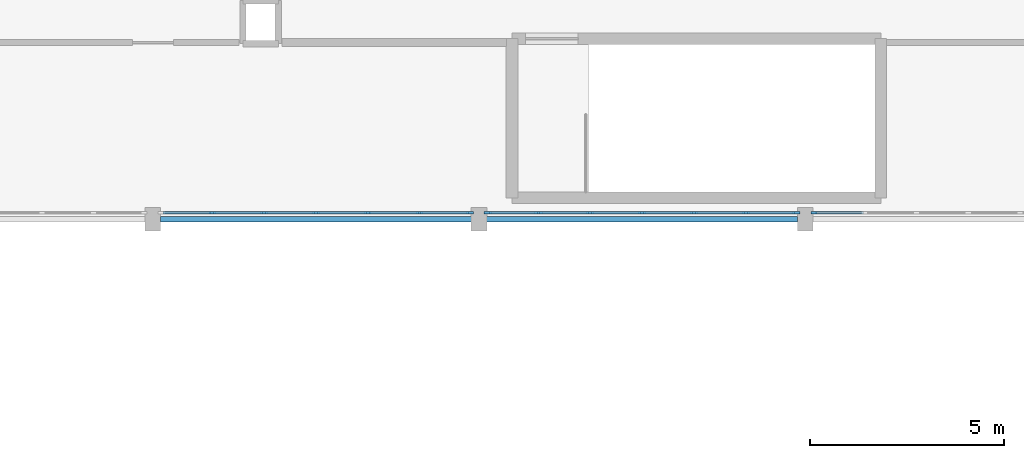
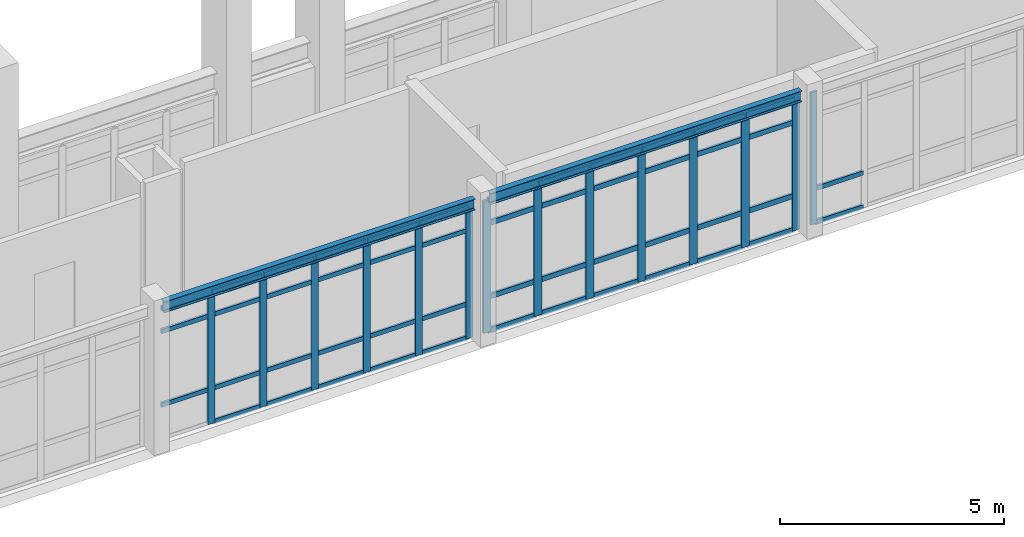
# One storey, part 80 of 147: 63 members, 2 beams, 3 elements without a shape of their own.
"""IFC4 building model written with IfcOpenShell, lengths in metres."""

from ifc_helpers import new_model, si_unit, direction, frame, origin, origin_2d, place, context, subcontext, project, spatial, rectangle, i_section, extrude, material, material_profile, profile_set, type_object, element, aggregate, save


model = new_model("IFC4")

# Units and contexts
model_context = context("Model", 3, precision=1e-05, world=origin(), true_north=direction((0.0, 1.0)))
body_context = subcontext(model_context, "Body", "Model", "MODEL_VIEW")
ifc_project = project(units=[si_unit("LENGTHUNIT", "METRE"), si_unit("AREAUNIT", "SQUARE_METRE"), si_unit("VOLUMEUNIT", "CUBIC_METRE"), si_unit("PLANEANGLEUNIT", "RADIAN"), si_unit("MASSUNIT", "GRAM", prefix="KILO")], contexts=[model_context])

# Site, building, storey
site_placement = place(None, origin())
site = spatial("IfcSite", under=ifc_project, at=site_placement, CompositionType="ELEMENT")
building_placement = place(site_placement, origin())
building = spatial("IfcBuilding", under=site, at=building_placement, Name="Malvenik Polytechnic", CompositionType="ELEMENT")
storey_placement = place(building_placement, frame((0.0, 0.0, 5.10009765625)))
storey = spatial("IfcBuildingStorey", under=building, at=storey_placement, Name="L01", CompositionType="ELEMENT", Elevation=5.10009765625)

# Curtain wall, member
ifc_material_1 = material(Name="Anodised aluminium 6060-T6", Category="aluminium")
curtain_wall_type = type_object("IfcCurtainWallType", Name="ARC-CW-CW-02", PredefinedType="NOTDEFINED", material=ifc_material_1)
curtain_wall_1_placement = place(storey_placement, origin())
curtain_wall_1 = element("IfcCurtainWall", 1, at=curtain_wall_1_placement, inside=storey, type_object=curtain_wall_type, Name="Unitised Curtain Wall CW-02 L01 #107", PredefinedType="NOTDEFINED")
ifc_material_2 = material(Name="Anodised aluminium", Category="aluminium")
ifc_material_profile_1 = material_profile(ifc_material_2, rectangle(XDim=0.06005859375, YDim=0.159912109375, at=origin_2d()), Name="ALU MULLION 60x160")
ifc_profile_set_1 = profile_set([ifc_material_profile_1], Name="Anodised aluminium")
member_type_1 = type_object("IfcMemberType", Name="ARC-CWM-160", PredefinedType="MULLION", material=ifc_profile_set_1)
member_1_placement = place(storey_placement, frame((159.827880859375, 28.969970703125, 0.0), z_axis=(0.0, 0.0, 1.0), x_axis=(0.0, -1.0, 0.0)))
member_1 = element("IfcMember", 2, at=member_1_placement, type_object=member_type_1, Name="CW-02 mullion 7", PredefinedType="MULLION", context=body_context, shape_type="SweptSolid", body=[
    extrude(rectangle(XDim=0.06005859375, YDim=0.159912109375, at=origin_2d()), origin(), (0.0, 0.0, 1.0), 3.597900390625),
])

# Curtain wall, members
curtain_wall_2_placement = place(storey_placement, origin())
curtain_wall_2 = element("IfcCurtainWall", 3, at=curtain_wall_2_placement, inside=storey, type_object=curtain_wall_type, Name="Unitised Curtain Wall CW-02 L01 #109", PredefinedType="NOTDEFINED")
ifc_material_profile_2 = material_profile(ifc_material_2, rectangle(XDim=0.06005859375, YDim=0.179931640625, at=origin_2d()), Name="ALU MULLION 60x180")
ifc_profile_set_2 = profile_set([ifc_material_profile_2], Name="Anodised aluminium")
member_type_2 = type_object("IfcMemberType", Name="ARC-CWM-180", PredefinedType="MULLION", material=ifc_profile_set_2)
member_2_placement = place(storey_placement, frame((150.971923828125, 28.969970703125, 0.0), z_axis=(0.0, 0.0, 1.0), x_axis=(0.0, -1.0, 0.0)))
member_2 = element("IfcMember", 4, at=member_2_placement, type_object=member_type_2, Name="CW-02 mullion 1", PredefinedType="MULLION", context=body_context, shape_type="SweptSolid", body=[
    extrude(rectangle(XDim=0.06005859375, YDim=0.179931640625, at=origin_2d()), origin(), (0.0, 0.0, 1.0), 3.597900390625),
])
member_3_placement = place(storey_placement, frame((149.66796875, 28.969970703125, 0.0), z_axis=(0.0, 0.0, 1.0), x_axis=(0.0, -1.0, 0.0)))
member_3 = element("IfcMember", 5, at=member_3_placement, type_object=member_type_2, Name="CW-02 mullion 2", PredefinedType="MULLION", context=body_context, shape_type="SweptSolid", body=[
    extrude(rectangle(XDim=0.06005859375, YDim=0.179931640625, at=origin_2d()), origin(), (0.0, 0.0, 1.0), 3.597900390625),
])
member_4_placement = place(storey_placement, frame((148.333984375, 28.969970703125, 0.0), z_axis=(0.0, 0.0, 1.0), x_axis=(0.0, -1.0, 0.0)))
member_4 = element("IfcMember", 6, at=member_4_placement, type_object=member_type_2, Name="CW-02 mullion 3", PredefinedType="MULLION", context=body_context, shape_type="SweptSolid", body=[
    extrude(rectangle(XDim=0.06005859375, YDim=0.179931640625, at=origin_2d()), origin(), (0.0, 0.0, 1.0), 3.597900390625),
])
member_5_placement = place(storey_placement, frame((147.0, 28.969970703125, 0.0), z_axis=(0.0, 0.0, 1.0), x_axis=(0.0, -1.0, 0.0)))
member_5 = element("IfcMember", 7, at=member_5_placement, type_object=member_type_2, Name="CW-02 mullion 4", PredefinedType="MULLION", context=body_context, shape_type="SweptSolid", body=[
    extrude(rectangle(XDim=0.06005859375, YDim=0.179931640625, at=origin_2d()), origin(), (0.0, 0.0, 1.0), 3.597900390625),
])
member_6_placement = place(storey_placement, frame((145.666015625, 28.969970703125, 0.0), z_axis=(0.0, 0.0, 1.0), x_axis=(0.0, -1.0, 0.0)))
member_6 = element("IfcMember", 8, at=member_6_placement, type_object=member_type_2, Name="CW-02 mullion 5", PredefinedType="MULLION", context=body_context, shape_type="SweptSolid", body=[
    extrude(rectangle(XDim=0.06005859375, YDim=0.179931640625, at=origin_2d()), origin(), (0.0, 0.0, 1.0), 3.597900390625),
])
member_7_placement = place(storey_placement, frame((144.33203125, 28.969970703125, 0.0), z_axis=(0.0, 0.0, 1.0), x_axis=(0.0, -1.0, 0.0)))
member_7 = element("IfcMember", 9, at=member_7_placement, type_object=member_type_2, Name="CW-02 mullion 6", PredefinedType="MULLION", context=body_context, shape_type="SweptSolid", body=[
    extrude(rectangle(XDim=0.06005859375, YDim=0.179931640625, at=origin_2d()), origin(), (0.0, 0.0, 1.0), 3.597900390625),
])

curtain_wall_3_placement = place(storey_placement, origin())
curtain_wall_3 = element("IfcCurtainWall", 10, at=curtain_wall_3_placement, inside=storey, type_object=curtain_wall_type, Name="Unitised Curtain Wall CW-02 L01 #108", PredefinedType="NOTDEFINED")
ifc_material_profile_3 = material_profile(ifc_material_2, rectangle(XDim=0.06005859375, YDim=0.199951171875, at=origin_2d()), Name="ALU MULLION 60x200")
ifc_profile_set_3 = profile_set([ifc_material_profile_3], Name="Anodised aluminium")
member_type_3 = type_object("IfcMemberType", Name="ARC-CWM-200", PredefinedType="MULLION", material=ifc_profile_set_3)
member_8_placement = place(storey_placement, frame((159.3720703125, 28.969970703125, 0.0), z_axis=(0.0, 0.0, 1.0), x_axis=(0.0, -1.0, 0.0)))
member_8 = element("IfcMember", 11, at=member_8_placement, type_object=member_type_3, Name="CW-02 mullion 1", PredefinedType="MULLION", context=body_context, shape_type="SweptSolid", body=[
    extrude(rectangle(XDim=0.06005859375, YDim=0.199951171875, at=origin_2d()), origin(), (0.0, 0.0, 1.0), 3.597900390625),
])
member_9_placement = place(storey_placement, frame((158.068115234375, 28.969970703125, 0.0), z_axis=(0.0, 0.0, 1.0), x_axis=(0.0, -1.0, 0.0)))
member_9 = element("IfcMember", 12, at=member_9_placement, type_object=member_type_3, Name="CW-02 mullion 2", PredefinedType="MULLION", context=body_context, shape_type="SweptSolid", body=[
    extrude(rectangle(XDim=0.06005859375, YDim=0.199951171875, at=origin_2d()), origin(), (0.0, 0.0, 1.0), 3.597900390625),
])
member_10_placement = place(storey_placement, frame((156.73388671875, 28.969970703125, 0.0), z_axis=(0.0, 0.0, 1.0), x_axis=(0.0, -1.0, 0.0)))
member_10 = element("IfcMember", 13, at=member_10_placement, type_object=member_type_3, Name="CW-02 mullion 3", PredefinedType="MULLION", context=body_context, shape_type="SweptSolid", body=[
    extrude(rectangle(XDim=0.06005859375, YDim=0.199951171875, at=origin_2d()), origin(), (0.0, 0.0, 1.0), 3.597900390625),
])
member_11_placement = place(storey_placement, frame((155.39990234375, 28.969970703125, 0.0), z_axis=(0.0, 0.0, 1.0), x_axis=(0.0, -1.0, 0.0)))
member_11 = element("IfcMember", 14, at=member_11_placement, type_object=member_type_3, Name="CW-02 mullion 4", PredefinedType="MULLION", context=body_context, shape_type="SweptSolid", body=[
    extrude(rectangle(XDim=0.06005859375, YDim=0.199951171875, at=origin_2d()), origin(), (0.0, 0.0, 1.0), 3.597900390625),
])
member_12_placement = place(storey_placement, frame((154.06591796875, 28.969970703125, 0.0), z_axis=(0.0, 0.0, 1.0), x_axis=(0.0, -1.0, 0.0)))
member_12 = element("IfcMember", 15, at=member_12_placement, type_object=member_type_3, Name="CW-02 mullion 5", PredefinedType="MULLION", context=body_context, shape_type="SweptSolid", body=[
    extrude(rectangle(XDim=0.06005859375, YDim=0.199951171875, at=origin_2d()), origin(), (0.0, 0.0, 1.0), 3.597900390625),
])
member_13_placement = place(storey_placement, frame((152.73193359375, 28.969970703125, 0.0), z_axis=(0.0, 0.0, 1.0), x_axis=(0.0, -1.0, 0.0)))
member_13 = element("IfcMember", 16, at=member_13_placement, type_object=member_type_3, Name="CW-02 mullion 6", PredefinedType="MULLION", context=body_context, shape_type="SweptSolid", body=[
    extrude(rectangle(XDim=0.06005859375, YDim=0.199951171875, at=origin_2d()), origin(), (0.0, 0.0, 1.0), 3.597900390625),
])
member_14_placement = place(storey_placement, frame((151.427978515625, 28.969970703125, 0.0), z_axis=(0.0, 0.0, 1.0), x_axis=(0.0, -1.0, 0.0)))
member_14 = element("IfcMember", 17, at=member_14_placement, type_object=member_type_3, Name="CW-02 mullion 7", PredefinedType="MULLION", context=body_context, shape_type="SweptSolid", body=[
    extrude(rectangle(XDim=0.06005859375, YDim=0.199951171875, at=origin_2d()), origin(), (0.0, 0.0, 1.0), 3.597900390625),
])

# Member
ifc_material_profile_4 = material_profile(ifc_material_2, rectangle(XDim=0.06005859375, YDim=0.1201171875, at=origin_2d()), Name="ALU TRANSOM 60x120")
ifc_profile_set_4 = profile_set([ifc_material_profile_4], Name="Anodised aluminium")
member_type_4 = type_object("IfcMemberType", Name="ARC-CWT-120", PredefinedType="USERDEFINED", material=ifc_profile_set_4)
member_15_placement = place(storey_placement, frame((161.10205078125, 28.969970703125, 0.02978515625), z_axis=(-1.0, 0.0, 0.0), x_axis=(0.0, -1.0, 0.0)))
member_15 = element("IfcMember", 18, at=member_15_placement, type_object=member_type_4, Name="CW-02 transom 6.1", ObjectType="TRANSOM", PredefinedType="USERDEFINED", context=body_context, shape_type="SweptSolid", body=[
    extrude(rectangle(XDim=0.06005859375, YDim=0.1201171875, at=origin_2d()), origin(), (0.0, 0.0, 1.0), 1.244140625),
])

member_16_placement = place(storey_placement, frame((161.10205078125, 28.969970703125, 0.949951171875), z_axis=(-1.0, 0.0, 0.0), x_axis=(0.0, -1.0, 0.0)))
member_16 = element("IfcMember", 19, at=member_16_placement, type_object=member_type_4, Name="CW-02 transom 6.2", ObjectType="TRANSOM", PredefinedType="USERDEFINED", context=body_context, shape_type="SweptSolid", body=[
    extrude(rectangle(XDim=0.06005859375, YDim=0.1201171875, at=origin_2d()), origin(), (0.0, 0.0, 1.0), 1.244140625),
])

aggregate(curtain_wall_1, [member_1, member_15, member_16])

member_17_placement = place(storey_placement, frame((150.94189453125, 28.969970703125, 0.02978515625), z_axis=(-1.0, 0.0, 0.0), x_axis=(0.0, -1.0, 0.0)))
member_17 = element("IfcMember", 20, at=member_17_placement, type_object=member_type_4, Name="CW-02 transom 1.1", ObjectType="TRANSOM", PredefinedType="USERDEFINED", context=body_context, shape_type="SweptSolid", body=[
    extrude(rectangle(XDim=0.06005859375, YDim=0.1201171875, at=origin_2d()), origin(), (0.0, 0.0, 1.0), 1.243896484375),
])

member_18_placement = place(storey_placement, frame((150.94189453125, 28.969970703125, 0.949951171875), z_axis=(-1.0, 0.0, 0.0), x_axis=(0.0, -1.0, 0.0)))
member_18 = element("IfcMember", 21, at=member_18_placement, type_object=member_type_4, Name="CW-02 transom 1.2", ObjectType="TRANSOM", PredefinedType="USERDEFINED", context=body_context, shape_type="SweptSolid", body=[
    extrude(rectangle(XDim=0.06005859375, YDim=0.1201171875, at=origin_2d()), origin(), (0.0, 0.0, 1.0), 1.243896484375),
])

member_19_placement = place(storey_placement, frame((150.94189453125, 28.969970703125, 2.947998046875), z_axis=(-1.0, 0.0, 0.0), x_axis=(0.0, -1.0, 0.0)))
member_19 = element("IfcMember", 22, at=member_19_placement, type_object=member_type_4, Name="CW-02 transom 1.3", ObjectType="TRANSOM", PredefinedType="USERDEFINED", context=body_context, shape_type="SweptSolid", body=[
    extrude(rectangle(XDim=0.06005859375, YDim=0.1201171875, at=origin_2d()), origin(), (0.0, 0.0, 1.0), 1.243896484375),
])

member_20_placement = place(storey_placement, frame((150.94189453125, 28.969970703125, 3.56787109375), z_axis=(-1.0, 0.0, 0.0), x_axis=(0.0, -1.0, 0.0)))
member_20 = element("IfcMember", 23, at=member_20_placement, type_object=member_type_4, Name="CW-02 transom 1.4", ObjectType="TRANSOM", PredefinedType="USERDEFINED", context=body_context, shape_type="SweptSolid", body=[
    extrude(rectangle(XDim=0.06005859375, YDim=0.1201171875, at=origin_2d()), origin(), (0.0, 0.0, 1.0), 1.243896484375),
])

member_21_placement = place(storey_placement, frame((149.637939453125, 28.969970703125, 0.02978515625), z_axis=(-1.0, 0.0, 0.0), x_axis=(0.0, -1.0, 0.0)))
member_21 = element("IfcMember", 24, at=member_21_placement, type_object=member_type_4, Name="CW-02 transom 2.1", ObjectType="TRANSOM", PredefinedType="USERDEFINED", context=body_context, shape_type="SweptSolid", body=[
    extrude(rectangle(XDim=0.06005859375, YDim=0.1201171875, at=origin_2d()), origin(), (0.0, 0.0, 1.0), 1.27392578125),
])

member_22_placement = place(storey_placement, frame((149.637939453125, 28.969970703125, 0.949951171875), z_axis=(-1.0, 0.0, 0.0), x_axis=(0.0, -1.0, 0.0)))
member_22 = element("IfcMember", 25, at=member_22_placement, type_object=member_type_4, Name="CW-02 transom 2.2", ObjectType="TRANSOM", PredefinedType="USERDEFINED", context=body_context, shape_type="SweptSolid", body=[
    extrude(rectangle(XDim=0.06005859375, YDim=0.1201171875, at=origin_2d()), origin(), (0.0, 0.0, 1.0), 1.27392578125),
])

member_23_placement = place(storey_placement, frame((149.637939453125, 28.969970703125, 2.947998046875), z_axis=(-1.0, 0.0, 0.0), x_axis=(0.0, -1.0, 0.0)))
member_23 = element("IfcMember", 26, at=member_23_placement, type_object=member_type_4, Name="CW-02 transom 2.3", ObjectType="TRANSOM", PredefinedType="USERDEFINED", context=body_context, shape_type="SweptSolid", body=[
    extrude(rectangle(XDim=0.06005859375, YDim=0.1201171875, at=origin_2d()), origin(), (0.0, 0.0, 1.0), 1.27392578125),
])

member_24_placement = place(storey_placement, frame((149.637939453125, 28.969970703125, 3.56787109375), z_axis=(-1.0, 0.0, 0.0), x_axis=(0.0, -1.0, 0.0)))
member_24 = element("IfcMember", 27, at=member_24_placement, type_object=member_type_4, Name="CW-02 transom 2.4", ObjectType="TRANSOM", PredefinedType="USERDEFINED", context=body_context, shape_type="SweptSolid", body=[
    extrude(rectangle(XDim=0.06005859375, YDim=0.1201171875, at=origin_2d()), origin(), (0.0, 0.0, 1.0), 1.27392578125),
])

member_25_placement = place(storey_placement, frame((148.303955078125, 28.969970703125, 0.02978515625), z_axis=(-1.0, 0.0, 0.0), x_axis=(0.0, -1.0, 0.0)))
member_25 = element("IfcMember", 28, at=member_25_placement, type_object=member_type_4, Name="CW-02 transom 3.1", ObjectType="TRANSOM", PredefinedType="USERDEFINED", context=body_context, shape_type="SweptSolid", body=[
    extrude(rectangle(XDim=0.06005859375, YDim=0.1201171875, at=origin_2d()), origin(), (0.0, 0.0, 1.0), 1.27392578125),
])

member_26_placement = place(storey_placement, frame((148.303955078125, 28.969970703125, 0.949951171875), z_axis=(-1.0, 0.0, 0.0), x_axis=(0.0, -1.0, 0.0)))
member_26 = element("IfcMember", 29, at=member_26_placement, type_object=member_type_4, Name="CW-02 transom 3.2", ObjectType="TRANSOM", PredefinedType="USERDEFINED", context=body_context, shape_type="SweptSolid", body=[
    extrude(rectangle(XDim=0.06005859375, YDim=0.1201171875, at=origin_2d()), origin(), (0.0, 0.0, 1.0), 1.27392578125),
])

member_27_placement = place(storey_placement, frame((148.303955078125, 28.969970703125, 2.947998046875), z_axis=(-1.0, 0.0, 0.0), x_axis=(0.0, -1.0, 0.0)))
member_27 = element("IfcMember", 30, at=member_27_placement, type_object=member_type_4, Name="CW-02 transom 3.3", ObjectType="TRANSOM", PredefinedType="USERDEFINED", context=body_context, shape_type="SweptSolid", body=[
    extrude(rectangle(XDim=0.06005859375, YDim=0.1201171875, at=origin_2d()), origin(), (0.0, 0.0, 1.0), 1.27392578125),
])

member_28_placement = place(storey_placement, frame((148.303955078125, 28.969970703125, 3.56787109375), z_axis=(-1.0, 0.0, 0.0), x_axis=(0.0, -1.0, 0.0)))
member_28 = element("IfcMember", 31, at=member_28_placement, type_object=member_type_4, Name="CW-02 transom 3.4", ObjectType="TRANSOM", PredefinedType="USERDEFINED", context=body_context, shape_type="SweptSolid", body=[
    extrude(rectangle(XDim=0.06005859375, YDim=0.1201171875, at=origin_2d()), origin(), (0.0, 0.0, 1.0), 1.27392578125),
])

member_29_placement = place(storey_placement, frame((146.969970703125, 28.969970703125, 0.02978515625), z_axis=(-1.0, 0.0, 0.0), x_axis=(0.0, -1.0, 0.0)))
member_29 = element("IfcMember", 32, at=member_29_placement, type_object=member_type_4, Name="CW-02 transom 4.1", ObjectType="TRANSOM", PredefinedType="USERDEFINED", context=body_context, shape_type="SweptSolid", body=[
    extrude(rectangle(XDim=0.06005859375, YDim=0.1201171875, at=origin_2d()), origin(), (0.0, 0.0, 1.0), 1.27392578125),
])

member_30_placement = place(storey_placement, frame((146.969970703125, 28.969970703125, 0.949951171875), z_axis=(-1.0, 0.0, 0.0), x_axis=(0.0, -1.0, 0.0)))
member_30 = element("IfcMember", 33, at=member_30_placement, type_object=member_type_4, Name="CW-02 transom 4.2", ObjectType="TRANSOM", PredefinedType="USERDEFINED", context=body_context, shape_type="SweptSolid", body=[
    extrude(rectangle(XDim=0.06005859375, YDim=0.1201171875, at=origin_2d()), origin(), (0.0, 0.0, 1.0), 1.27392578125),
])

member_31_placement = place(storey_placement, frame((146.969970703125, 28.969970703125, 2.947998046875), z_axis=(-1.0, 0.0, 0.0), x_axis=(0.0, -1.0, 0.0)))
member_31 = element("IfcMember", 34, at=member_31_placement, type_object=member_type_4, Name="CW-02 transom 4.3", ObjectType="TRANSOM", PredefinedType="USERDEFINED", context=body_context, shape_type="SweptSolid", body=[
    extrude(rectangle(XDim=0.06005859375, YDim=0.1201171875, at=origin_2d()), origin(), (0.0, 0.0, 1.0), 1.27392578125),
])

member_32_placement = place(storey_placement, frame((146.969970703125, 28.969970703125, 3.56787109375), z_axis=(-1.0, 0.0, 0.0), x_axis=(0.0, -1.0, 0.0)))
member_32 = element("IfcMember", 35, at=member_32_placement, type_object=member_type_4, Name="CW-02 transom 4.4", ObjectType="TRANSOM", PredefinedType="USERDEFINED", context=body_context, shape_type="SweptSolid", body=[
    extrude(rectangle(XDim=0.06005859375, YDim=0.1201171875, at=origin_2d()), origin(), (0.0, 0.0, 1.0), 1.27392578125),
])

member_33_placement = place(storey_placement, frame((145.635986328125, 28.969970703125, 0.02978515625), z_axis=(-1.0, 0.0, 0.0), x_axis=(0.0, -1.0, 0.0)))
member_33 = element("IfcMember", 36, at=member_33_placement, type_object=member_type_4, Name="CW-02 transom 5.1", ObjectType="TRANSOM", PredefinedType="USERDEFINED", context=body_context, shape_type="SweptSolid", body=[
    extrude(rectangle(XDim=0.06005859375, YDim=0.1201171875, at=origin_2d()), origin(), (0.0, 0.0, 1.0), 1.27392578125),
])

member_34_placement = place(storey_placement, frame((145.635986328125, 28.969970703125, 0.949951171875), z_axis=(-1.0, 0.0, 0.0), x_axis=(0.0, -1.0, 0.0)))
member_34 = element("IfcMember", 37, at=member_34_placement, type_object=member_type_4, Name="CW-02 transom 5.2", ObjectType="TRANSOM", PredefinedType="USERDEFINED", context=body_context, shape_type="SweptSolid", body=[
    extrude(rectangle(XDim=0.06005859375, YDim=0.1201171875, at=origin_2d()), origin(), (0.0, 0.0, 1.0), 1.27392578125),
])

member_35_placement = place(storey_placement, frame((145.635986328125, 28.969970703125, 2.947998046875), z_axis=(-1.0, 0.0, 0.0), x_axis=(0.0, -1.0, 0.0)))
member_35 = element("IfcMember", 38, at=member_35_placement, type_object=member_type_4, Name="CW-02 transom 5.3", ObjectType="TRANSOM", PredefinedType="USERDEFINED", context=body_context, shape_type="SweptSolid", body=[
    extrude(rectangle(XDim=0.06005859375, YDim=0.1201171875, at=origin_2d()), origin(), (0.0, 0.0, 1.0), 1.27392578125),
])

member_36_placement = place(storey_placement, frame((145.635986328125, 28.969970703125, 3.56787109375), z_axis=(-1.0, 0.0, 0.0), x_axis=(0.0, -1.0, 0.0)))
member_36 = element("IfcMember", 39, at=member_36_placement, type_object=member_type_4, Name="CW-02 transom 5.4", ObjectType="TRANSOM", PredefinedType="USERDEFINED", context=body_context, shape_type="SweptSolid", body=[
    extrude(rectangle(XDim=0.06005859375, YDim=0.1201171875, at=origin_2d()), origin(), (0.0, 0.0, 1.0), 1.27392578125),
])

member_37_placement = place(storey_placement, frame((144.302001953125, 28.969970703125, 0.949951171875), z_axis=(-1.0, 0.0, 0.0), x_axis=(0.0, -1.0, 0.0)))
member_37 = element("IfcMember", 40, at=member_37_placement, type_object=member_type_4, Name="CW-02 transom 6.2", ObjectType="TRANSOM", PredefinedType="USERDEFINED", context=body_context, shape_type="SweptSolid", body=[
    extrude(rectangle(XDim=0.06005859375, YDim=0.1201171875, at=origin_2d()), origin(), (0.0, 0.0, 1.0), 1.243896484375),
])

member_38_placement = place(storey_placement, frame((144.302001953125, 28.969970703125, 2.947998046875), z_axis=(-1.0, 0.0, 0.0), x_axis=(0.0, -1.0, 0.0)))
member_38 = element("IfcMember", 41, at=member_38_placement, type_object=member_type_4, Name="CW-02 transom 6.3", ObjectType="TRANSOM", PredefinedType="USERDEFINED", context=body_context, shape_type="SweptSolid", body=[
    extrude(rectangle(XDim=0.06005859375, YDim=0.1201171875, at=origin_2d()), origin(), (0.0, 0.0, 1.0), 1.243896484375),
])

member_39_placement = place(storey_placement, frame((144.302001953125, 28.969970703125, 3.56787109375), z_axis=(-1.0, 0.0, 0.0), x_axis=(0.0, -1.0, 0.0)))
member_39 = element("IfcMember", 42, at=member_39_placement, type_object=member_type_4, Name="CW-02 transom 6.4", ObjectType="TRANSOM", PredefinedType="USERDEFINED", context=body_context, shape_type="SweptSolid", body=[
    extrude(rectangle(XDim=0.06005859375, YDim=0.1201171875, at=origin_2d()), origin(), (0.0, 0.0, 1.0), 1.243896484375),
])

aggregate(curtain_wall_2, [member_2, member_3, member_4, member_5, member_6, member_7, member_17, member_18, member_19, member_20, member_21, member_22, member_23, member_24, member_25, member_26, member_27, member_28, member_29, member_30, member_31, member_32, member_33, member_34, member_35, member_36, member_37, member_38, member_39])

ifc_material_profile_5 = material_profile(ifc_material_2, rectangle(XDim=0.06005859375, YDim=0.139892578125, at=origin_2d()), Name="ALU TRANSOM 60x140")
ifc_profile_set_5 = profile_set([ifc_material_profile_5], Name="Anodised aluminium")
member_type_5 = type_object("IfcMemberType", Name="ARC-CWT-140", PredefinedType="USERDEFINED", material=ifc_profile_set_5)
member_40_placement = place(storey_placement, frame((159.342041015625, 28.969970703125, 0.02978515625), z_axis=(-1.0, 0.0, 0.0), x_axis=(0.0, -1.0, 0.0)))
member_40 = element("IfcMember", 43, at=member_40_placement, type_object=member_type_5, Name="CW-02 transom 1.1", ObjectType="TRANSOM", PredefinedType="USERDEFINED", context=body_context, shape_type="SweptSolid", body=[
    extrude(rectangle(XDim=0.06005859375, YDim=0.139892578125, at=origin_2d()), origin(), (0.0, 0.0, 1.0), 1.244140625),
])

member_41_placement = place(storey_placement, frame((159.342041015625, 28.969970703125, 0.949951171875), z_axis=(-1.0, 0.0, 0.0), x_axis=(0.0, -1.0, 0.0)))
member_41 = element("IfcMember", 44, at=member_41_placement, type_object=member_type_5, Name="CW-02 transom 1.2", ObjectType="TRANSOM", PredefinedType="USERDEFINED", context=body_context, shape_type="SweptSolid", body=[
    extrude(rectangle(XDim=0.06005859375, YDim=0.139892578125, at=origin_2d()), origin(), (0.0, 0.0, 1.0), 1.244140625),
])

member_42_placement = place(storey_placement, frame((159.342041015625, 28.969970703125, 2.947998046875), z_axis=(-1.0, 0.0, 0.0), x_axis=(0.0, -1.0, 0.0)))
member_42 = element("IfcMember", 45, at=member_42_placement, type_object=member_type_5, Name="CW-02 transom 1.3", ObjectType="TRANSOM", PredefinedType="USERDEFINED", context=body_context, shape_type="SweptSolid", body=[
    extrude(rectangle(XDim=0.06005859375, YDim=0.139892578125, at=origin_2d()), origin(), (0.0, 0.0, 1.0), 1.244140625),
])

member_43_placement = place(storey_placement, frame((159.342041015625, 28.969970703125, 3.56787109375), z_axis=(-1.0, 0.0, 0.0), x_axis=(0.0, -1.0, 0.0)))
member_43 = element("IfcMember", 46, at=member_43_placement, type_object=member_type_5, Name="CW-02 transom 1.4", ObjectType="TRANSOM", PredefinedType="USERDEFINED", context=body_context, shape_type="SweptSolid", body=[
    extrude(rectangle(XDim=0.06005859375, YDim=0.139892578125, at=origin_2d()), origin(), (0.0, 0.0, 1.0), 1.244140625),
])

member_44_placement = place(storey_placement, frame((158.0380859375, 28.969970703125, 0.02978515625), z_axis=(-1.0, 0.0, 0.0), x_axis=(0.0, -1.0, 0.0)))
member_44 = element("IfcMember", 47, at=member_44_placement, type_object=member_type_5, Name="CW-02 transom 2.1", ObjectType="TRANSOM", PredefinedType="USERDEFINED", context=body_context, shape_type="SweptSolid", body=[
    extrude(rectangle(XDim=0.06005859375, YDim=0.139892578125, at=origin_2d()), origin(), (0.0, 0.0, 1.0), 1.274169921875),
])

member_45_placement = place(storey_placement, frame((158.0380859375, 28.969970703125, 0.949951171875), z_axis=(-1.0, 0.0, 0.0), x_axis=(0.0, -1.0, 0.0)))
member_45 = element("IfcMember", 48, at=member_45_placement, type_object=member_type_5, Name="CW-02 transom 2.2", ObjectType="TRANSOM", PredefinedType="USERDEFINED", context=body_context, shape_type="SweptSolid", body=[
    extrude(rectangle(XDim=0.06005859375, YDim=0.139892578125, at=origin_2d()), origin(), (0.0, 0.0, 1.0), 1.274169921875),
])

member_46_placement = place(storey_placement, frame((158.0380859375, 28.969970703125, 2.947998046875), z_axis=(-1.0, 0.0, 0.0), x_axis=(0.0, -1.0, 0.0)))
member_46 = element("IfcMember", 49, at=member_46_placement, type_object=member_type_5, Name="CW-02 transom 2.3", ObjectType="TRANSOM", PredefinedType="USERDEFINED", context=body_context, shape_type="SweptSolid", body=[
    extrude(rectangle(XDim=0.06005859375, YDim=0.139892578125, at=origin_2d()), origin(), (0.0, 0.0, 1.0), 1.274169921875),
])

member_47_placement = place(storey_placement, frame((158.0380859375, 28.969970703125, 3.56787109375), z_axis=(-1.0, 0.0, 0.0), x_axis=(0.0, -1.0, 0.0)))
member_47 = element("IfcMember", 50, at=member_47_placement, type_object=member_type_5, Name="CW-02 transom 2.4", ObjectType="TRANSOM", PredefinedType="USERDEFINED", context=body_context, shape_type="SweptSolid", body=[
    extrude(rectangle(XDim=0.06005859375, YDim=0.139892578125, at=origin_2d()), origin(), (0.0, 0.0, 1.0), 1.274169921875),
])

member_48_placement = place(storey_placement, frame((156.7041015625, 28.969970703125, 0.02978515625), z_axis=(-1.0, 0.0, 0.0), x_axis=(0.0, -1.0, 0.0)))
member_48 = element("IfcMember", 51, at=member_48_placement, type_object=member_type_5, Name="CW-02 transom 3.1", ObjectType="TRANSOM", PredefinedType="USERDEFINED", context=body_context, shape_type="SweptSolid", body=[
    extrude(rectangle(XDim=0.06005859375, YDim=0.139892578125, at=origin_2d()), origin(), (0.0, 0.0, 1.0), 1.274169921875),
])

member_49_placement = place(storey_placement, frame((156.7041015625, 28.969970703125, 0.949951171875), z_axis=(-1.0, 0.0, 0.0), x_axis=(0.0, -1.0, 0.0)))
member_49 = element("IfcMember", 52, at=member_49_placement, type_object=member_type_5, Name="CW-02 transom 3.2", ObjectType="TRANSOM", PredefinedType="USERDEFINED", context=body_context, shape_type="SweptSolid", body=[
    extrude(rectangle(XDim=0.06005859375, YDim=0.139892578125, at=origin_2d()), origin(), (0.0, 0.0, 1.0), 1.274169921875),
])

member_50_placement = place(storey_placement, frame((156.7041015625, 28.969970703125, 2.947998046875), z_axis=(-1.0, 0.0, 0.0), x_axis=(0.0, -1.0, 0.0)))
member_50 = element("IfcMember", 53, at=member_50_placement, type_object=member_type_5, Name="CW-02 transom 3.3", ObjectType="TRANSOM", PredefinedType="USERDEFINED", context=body_context, shape_type="SweptSolid", body=[
    extrude(rectangle(XDim=0.06005859375, YDim=0.139892578125, at=origin_2d()), origin(), (0.0, 0.0, 1.0), 1.274169921875),
])

member_51_placement = place(storey_placement, frame((156.7041015625, 28.969970703125, 3.56787109375), z_axis=(-1.0, 0.0, 0.0), x_axis=(0.0, -1.0, 0.0)))
member_51 = element("IfcMember", 54, at=member_51_placement, type_object=member_type_5, Name="CW-02 transom 3.4", ObjectType="TRANSOM", PredefinedType="USERDEFINED", context=body_context, shape_type="SweptSolid", body=[
    extrude(rectangle(XDim=0.06005859375, YDim=0.139892578125, at=origin_2d()), origin(), (0.0, 0.0, 1.0), 1.274169921875),
])

member_52_placement = place(storey_placement, frame((155.3701171875, 28.969970703125, 0.02978515625), z_axis=(-1.0, 0.0, 0.0), x_axis=(0.0, -1.0, 0.0)))
member_52 = element("IfcMember", 55, at=member_52_placement, type_object=member_type_5, Name="CW-02 transom 4.1", ObjectType="TRANSOM", PredefinedType="USERDEFINED", context=body_context, shape_type="SweptSolid", body=[
    extrude(rectangle(XDim=0.06005859375, YDim=0.139892578125, at=origin_2d()), origin(), (0.0, 0.0, 1.0), 1.274169921875),
])

member_53_placement = place(storey_placement, frame((155.3701171875, 28.969970703125, 0.949951171875), z_axis=(-1.0, 0.0, 0.0), x_axis=(0.0, -1.0, 0.0)))
member_53 = element("IfcMember", 56, at=member_53_placement, type_object=member_type_5, Name="CW-02 transom 4.2", ObjectType="TRANSOM", PredefinedType="USERDEFINED", context=body_context, shape_type="SweptSolid", body=[
    extrude(rectangle(XDim=0.06005859375, YDim=0.139892578125, at=origin_2d()), origin(), (0.0, 0.0, 1.0), 1.274169921875),
])

member_54_placement = place(storey_placement, frame((155.3701171875, 28.969970703125, 2.947998046875), z_axis=(-1.0, 0.0, 0.0), x_axis=(0.0, -1.0, 0.0)))
member_54 = element("IfcMember", 57, at=member_54_placement, type_object=member_type_5, Name="CW-02 transom 4.3", ObjectType="TRANSOM", PredefinedType="USERDEFINED", context=body_context, shape_type="SweptSolid", body=[
    extrude(rectangle(XDim=0.06005859375, YDim=0.139892578125, at=origin_2d()), origin(), (0.0, 0.0, 1.0), 1.274169921875),
])

member_55_placement = place(storey_placement, frame((155.3701171875, 28.969970703125, 3.56787109375), z_axis=(-1.0, 0.0, 0.0), x_axis=(0.0, -1.0, 0.0)))
member_55 = element("IfcMember", 58, at=member_55_placement, type_object=member_type_5, Name="CW-02 transom 4.4", ObjectType="TRANSOM", PredefinedType="USERDEFINED", context=body_context, shape_type="SweptSolid", body=[
    extrude(rectangle(XDim=0.06005859375, YDim=0.139892578125, at=origin_2d()), origin(), (0.0, 0.0, 1.0), 1.274169921875),
])

member_56_placement = place(storey_placement, frame((154.035888671875, 28.969970703125, 0.02978515625), z_axis=(-1.0, 0.0, 0.0), x_axis=(0.0, -1.0, 0.0)))
member_56 = element("IfcMember", 59, at=member_56_placement, type_object=member_type_5, Name="CW-02 transom 5.1", ObjectType="TRANSOM", PredefinedType="USERDEFINED", context=body_context, shape_type="SweptSolid", body=[
    extrude(rectangle(XDim=0.06005859375, YDim=0.139892578125, at=origin_2d()), origin(), (0.0, 0.0, 1.0), 1.27392578125),
])

member_57_placement = place(storey_placement, frame((154.035888671875, 28.969970703125, 0.949951171875), z_axis=(-1.0, 0.0, 0.0), x_axis=(0.0, -1.0, 0.0)))
member_57 = element("IfcMember", 60, at=member_57_placement, type_object=member_type_5, Name="CW-02 transom 5.2", ObjectType="TRANSOM", PredefinedType="USERDEFINED", context=body_context, shape_type="SweptSolid", body=[
    extrude(rectangle(XDim=0.06005859375, YDim=0.139892578125, at=origin_2d()), origin(), (0.0, 0.0, 1.0), 1.27392578125),
])

member_58_placement = place(storey_placement, frame((154.035888671875, 28.969970703125, 2.947998046875), z_axis=(-1.0, 0.0, 0.0), x_axis=(0.0, -1.0, 0.0)))
member_58 = element("IfcMember", 61, at=member_58_placement, type_object=member_type_5, Name="CW-02 transom 5.3", ObjectType="TRANSOM", PredefinedType="USERDEFINED", context=body_context, shape_type="SweptSolid", body=[
    extrude(rectangle(XDim=0.06005859375, YDim=0.139892578125, at=origin_2d()), origin(), (0.0, 0.0, 1.0), 1.27392578125),
])

member_59_placement = place(storey_placement, frame((154.035888671875, 28.969970703125, 3.56787109375), z_axis=(-1.0, 0.0, 0.0), x_axis=(0.0, -1.0, 0.0)))
member_59 = element("IfcMember", 62, at=member_59_placement, type_object=member_type_5, Name="CW-02 transom 5.4", ObjectType="TRANSOM", PredefinedType="USERDEFINED", context=body_context, shape_type="SweptSolid", body=[
    extrude(rectangle(XDim=0.06005859375, YDim=0.139892578125, at=origin_2d()), origin(), (0.0, 0.0, 1.0), 1.27392578125),
])

member_60_placement = place(storey_placement, frame((152.701904296875, 28.969970703125, 0.02978515625), z_axis=(-1.0, 0.0, 0.0), x_axis=(0.0, -1.0, 0.0)))
member_60 = element("IfcMember", 63, at=member_60_placement, type_object=member_type_5, Name="CW-02 transom 6.1", ObjectType="TRANSOM", PredefinedType="USERDEFINED", context=body_context, shape_type="SweptSolid", body=[
    extrude(rectangle(XDim=0.06005859375, YDim=0.139892578125, at=origin_2d()), origin(), (0.0, 0.0, 1.0), 1.243896484375),
])

member_61_placement = place(storey_placement, frame((152.701904296875, 28.969970703125, 0.949951171875), z_axis=(-1.0, 0.0, 0.0), x_axis=(0.0, -1.0, 0.0)))
member_61 = element("IfcMember", 64, at=member_61_placement, type_object=member_type_5, Name="CW-02 transom 6.2", ObjectType="TRANSOM", PredefinedType="USERDEFINED", context=body_context, shape_type="SweptSolid", body=[
    extrude(rectangle(XDim=0.06005859375, YDim=0.139892578125, at=origin_2d()), origin(), (0.0, 0.0, 1.0), 1.243896484375),
])

member_62_placement = place(storey_placement, frame((152.701904296875, 28.969970703125, 2.947998046875), z_axis=(-1.0, 0.0, 0.0), x_axis=(0.0, -1.0, 0.0)))
member_62 = element("IfcMember", 65, at=member_62_placement, type_object=member_type_5, Name="CW-02 transom 6.3", ObjectType="TRANSOM", PredefinedType="USERDEFINED", context=body_context, shape_type="SweptSolid", body=[
    extrude(rectangle(XDim=0.06005859375, YDim=0.139892578125, at=origin_2d()), origin(), (0.0, 0.0, 1.0), 1.243896484375),
])

member_63_placement = place(storey_placement, frame((152.701904296875, 28.969970703125, 3.56787109375), z_axis=(-1.0, 0.0, 0.0), x_axis=(0.0, -1.0, 0.0)))
member_63 = element("IfcMember", 66, at=member_63_placement, type_object=member_type_5, Name="CW-02 transom 6.4", ObjectType="TRANSOM", PredefinedType="USERDEFINED", context=body_context, shape_type="SweptSolid", body=[
    extrude(rectangle(XDim=0.06005859375, YDim=0.139892578125, at=origin_2d()), origin(), (0.0, 0.0, 1.0), 1.243896484375),
])

aggregate(curtain_wall_3, [member_8, member_9, member_10, member_11, member_12, member_13, member_14, member_40, member_41, member_42, member_43, member_44, member_45, member_46, member_47, member_48, member_49, member_50, member_51, member_52, member_53, member_54, member_55, member_56, member_57, member_58, member_59, member_60, member_61, member_62, member_63])

# Beams
ifc_material_3 = material(Name="Steel S355", Category="steel")
ifc_material_profile_6 = material_profile(ifc_material_3, i_section(OverallWidth=0.14990234375, OverallDepth=0.300048828125, WebThickness=0.007080078125, FlangeThickness=0.0107421875, FilletRadius=0.014892578125, at=origin_2d()), Name="IPE 300")
ifc_profile_set_6 = profile_set([ifc_material_profile_6], Name="Steel S355")
beam_type = type_object("IfcBeamType", Name="STR-BM-SB-09", PredefinedType="JOIST", material=ifc_profile_set_6)
beam_1_placement = place(storey_placement, frame((142.998046875, 28.800048828125, 3.7578125), z_axis=(1.0, 0.0, 0.0), x_axis=(0.0, 1.0, 0.0)))
element("IfcBeam", 67, at=beam_1_placement, inside=storey, type_object=beam_type, Name="Beam SB-09 #2", PredefinedType="JOIST", context=body_context, shape_type="SweptSolid", body=[
    extrude(i_section(OverallWidth=0.14990234375, OverallDepth=0.300048828125, WebThickness=0.007080078125, FlangeThickness=0.0107421875, FilletRadius=0.014892578125, at=origin_2d()), origin(), (0.0, 0.0, 1.0), 8.00390625),
])
beam_2_placement = place(storey_placement, frame((151.39794921875, 28.800048828125, 3.7578125), z_axis=(1.0, 0.0, 0.0), x_axis=(0.0, 1.0, 0.0)))
element("IfcBeam", 68, at=beam_2_placement, inside=storey, type_object=beam_type, Name="Beam SB-09 #3", PredefinedType="JOIST", context=body_context, shape_type="SweptSolid", body=[
    extrude(i_section(OverallWidth=0.14990234375, OverallDepth=0.300048828125, WebThickness=0.007080078125, FlangeThickness=0.0107421875, FilletRadius=0.014892578125, at=origin_2d()), origin(), (0.0, 0.0, 1.0), 8.004150390625),
])

save(model, "model.ifc")
